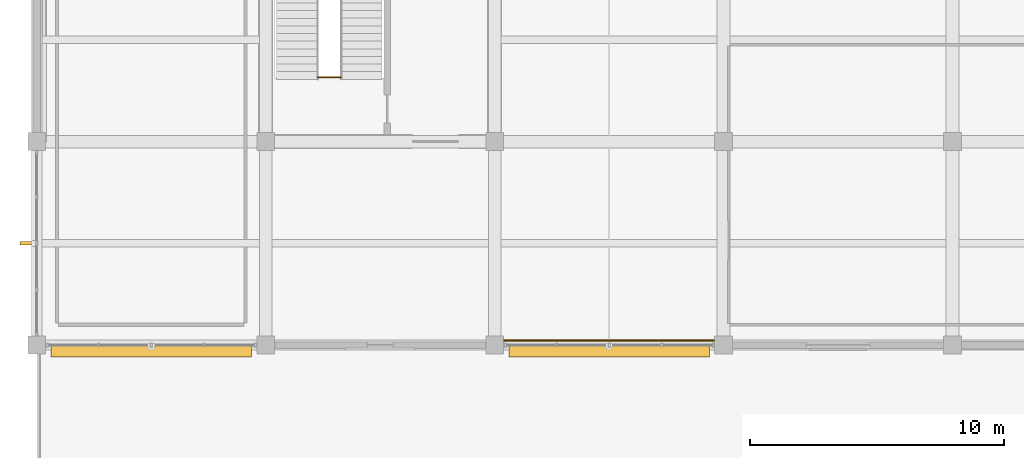
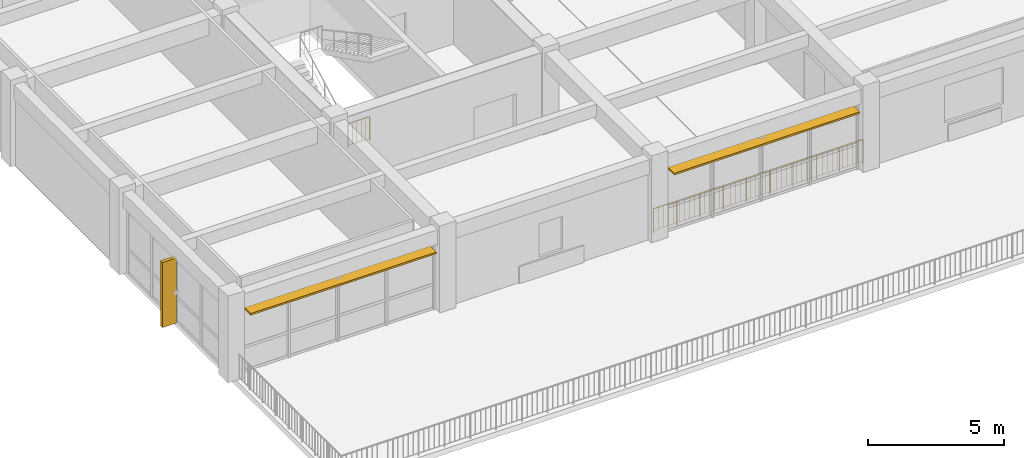
# One storey, part 13 of 14: 3 shading devices, 2 railings.
"""IFC4 building model written with IfcOpenShell, lengths in metres."""

from ifc_helpers import new_model, si_unit, direction, frame, frame_2d, origin, origin_2d, place, context, subcontext, project, spatial, rectangle, circle, extrude, material, layer, layer_set, type_object, element, save


model = new_model("IFC4")

# Units and contexts
model_context = context("Model", 3, precision=1e-05, world=origin(), true_north=direction((0.0, 1.0)))
body_context = subcontext(model_context, "Body", "Model", "MODEL_VIEW")
ifc_project = project(units=[si_unit("LENGTHUNIT", "METRE"), si_unit("AREAUNIT", "SQUARE_METRE"), si_unit("VOLUMEUNIT", "CUBIC_METRE"), si_unit("PLANEANGLEUNIT", "RADIAN"), si_unit("MASSUNIT", "GRAM", prefix="KILO")], contexts=[model_context])

# Site, building, storey
site_placement = place(None, origin())
site = spatial("IfcSite", under=ifc_project, at=site_placement, CompositionType="ELEMENT")
building_placement = place(site_placement, origin())
building = spatial("IfcBuilding", under=site, at=building_placement, Name="Zaverband Oceanarium and Marine Research Institute", CompositionType="ELEMENT")
storey_placement = place(building_placement, frame((0.0, 0.0, 57.0)))
storey = spatial("IfcBuildingStorey", under=building, at=storey_placement, Name="L14", CompositionType="ELEMENT", Elevation=57.0)

# Railings
ifc_material_1 = material(Name="Steel S355", Category="steel")
ifc_layer_1 = layer(ifc_material_1, 0.06005859375, Name="Steel S355")
ifc_layer_set_1 = layer_set([ifc_layer_1], Name="Steel S355")
railing_type = type_object("IfcRailingType", Name="GRD-1100", PredefinedType="BALUSTRADE", material=ifc_layer_set_1)
railing_1_placement = place(storey_placement, frame((20.0400390625, 82.530029296875, 0.0)))
element("IfcRailing", 1, at=railing_1_placement, inside=storey, type_object=railing_type, Name="1100 mm steel post-and-baluster safety guard GRD-1100", PredefinedType="BALUSTRADE", context=body_context, shape_type="SweptSolid", body=[
    extrude(circle(Radius=0.02392578125, at=origin_2d()), frame((0.0, 0.0, 1.076171875), z_axis=(1.0, 0.0, 0.0), x_axis=(0.0, 1.0, 0.0)), (0.0, 0.0, 1.0), 0.919921875),
    extrude(circle(Radius=0.009033203125, at=origin_2d()), frame((0.0, 0.0, 0.10009765625), z_axis=(1.0, 0.0, 0.0), x_axis=(0.0, 1.0, 0.0)), (0.0, 0.0, 1.0), 0.919921875),
    extrude(circle(Radius=0.009033203125, at=origin_2d()), frame((0.18408203125, 0.0, 0.10009765625)), (0.0, 0.0, 1.0), 0.951904296875),
    extrude(circle(Radius=0.009033203125, at=origin_2d()), frame((0.367919921875, 0.0, 0.10009765625)), (0.0, 0.0, 1.0), 0.951904296875),
    extrude(circle(Radius=0.009033203125, at=origin_2d()), frame((0.552001953125, 0.0, 0.10009765625)), (0.0, 0.0, 1.0), 0.951904296875),
    extrude(circle(Radius=0.009033203125, at=origin_2d()), frame((0.73583984375, 0.0, 0.10009765625)), (0.0, 0.0, 1.0), 0.951904296875),
    extrude(circle(Radius=0.02099609375, at=origin_2d()), origin(), (0.0, 0.0, 1.0), 1.052001953125),
    extrude(circle(Radius=0.02099609375, at=origin_2d()), frame((0.919921875, 0.0, 0.0)), (0.0, 0.0, 1.0), 1.052001953125),
])
railing_2_placement = place(storey_placement, frame((27.050048828125, 72.179931640625, 0.0)))
element("IfcRailing", 2, at=railing_2_placement, inside=storey, type_object=railing_type, Name="1100 mm steel post-and-baluster safety guard GRD-1100", PredefinedType="BALUSTRADE", context=body_context, shape_type="SweptSolid", body=[
    extrude(circle(Radius=0.02392578125, at=origin_2d()), frame((0.0, 0.0, 1.076171875), z_axis=(1.0, 0.0, 0.0), x_axis=(0.0, 1.0, 0.0)), (0.0, 0.0, 1.0), 8.89990234375),
    extrude(circle(Radius=0.009033203125, at=origin_2d()), frame((0.0, 0.0, 0.10009765625), z_axis=(1.0, 0.0, 0.0), x_axis=(0.0, 1.0, 0.0)), (0.0, 0.0, 1.0), 8.89990234375),
    extrude(circle(Radius=0.009033203125, at=origin_2d()), frame((0.217041015625, 0.0, 0.10009765625)), (0.0, 0.0, 1.0), 0.951904296875),
    extrude(circle(Radius=0.009033203125, at=origin_2d()), frame((0.43408203125, 0.0, 0.10009765625)), (0.0, 0.0, 1.0), 0.951904296875),
    extrude(circle(Radius=0.009033203125, at=origin_2d()), frame((0.651123046875, 0.0, 0.10009765625)), (0.0, 0.0, 1.0), 0.951904296875),
    extrude(circle(Radius=0.009033203125, at=origin_2d()), frame((0.8681640625, 0.0, 0.10009765625)), (0.0, 0.0, 1.0), 0.951904296875),
    extrude(circle(Radius=0.009033203125, at=origin_2d()), frame((1.08544921875, 0.0, 0.10009765625)), (0.0, 0.0, 1.0), 0.951904296875),
    extrude(circle(Radius=0.009033203125, at=origin_2d()), frame((1.302490234375, 0.0, 0.10009765625)), (0.0, 0.0, 1.0), 0.951904296875),
    extrude(circle(Radius=0.009033203125, at=origin_2d()), frame((1.51953125, 0.0, 0.10009765625)), (0.0, 0.0, 1.0), 0.951904296875),
    extrude(circle(Radius=0.009033203125, at=origin_2d()), frame((1.736572265625, 0.0, 0.10009765625)), (0.0, 0.0, 1.0), 0.951904296875),
    extrude(circle(Radius=0.009033203125, at=origin_2d()), frame((1.95361328125, 0.0, 0.10009765625)), (0.0, 0.0, 1.0), 0.951904296875),
    extrude(circle(Radius=0.009033203125, at=origin_2d()), frame((2.170654296875, 0.0, 0.10009765625)), (0.0, 0.0, 1.0), 0.951904296875),
    extrude(circle(Radius=0.009033203125, at=origin_2d()), frame((2.3876953125, 0.0, 0.10009765625)), (0.0, 0.0, 1.0), 0.951904296875),
    extrude(circle(Radius=0.009033203125, at=origin_2d()), frame((2.604736328125, 0.0, 0.10009765625)), (0.0, 0.0, 1.0), 0.951904296875),
    extrude(circle(Radius=0.009033203125, at=origin_2d()), frame((2.822021484375, 0.0, 0.10009765625)), (0.0, 0.0, 1.0), 0.951904296875),
    extrude(circle(Radius=0.009033203125, at=origin_2d()), frame((3.0390625, 0.0, 0.10009765625)), (0.0, 0.0, 1.0), 0.951904296875),
    extrude(circle(Radius=0.009033203125, at=origin_2d()), frame((3.256103515625, 0.0, 0.10009765625)), (0.0, 0.0, 1.0), 0.951904296875),
    extrude(circle(Radius=0.009033203125, at=origin_2d()), frame((3.47314453125, 0.0, 0.10009765625)), (0.0, 0.0, 1.0), 0.951904296875),
    extrude(circle(Radius=0.009033203125, at=origin_2d()), frame((3.690185546875, 0.0, 0.10009765625)), (0.0, 0.0, 1.0), 0.951904296875),
    extrude(circle(Radius=0.009033203125, at=origin_2d()), frame((3.9072265625, 0.0, 0.10009765625)), (0.0, 0.0, 1.0), 0.951904296875),
    extrude(circle(Radius=0.009033203125, at=origin_2d()), frame((4.124267578125, 0.0, 0.10009765625)), (0.0, 0.0, 1.0), 0.951904296875),
    extrude(circle(Radius=0.009033203125, at=origin_2d()), frame((4.34130859375, 0.0, 0.10009765625)), (0.0, 0.0, 1.0), 0.951904296875),
    extrude(circle(Radius=0.009033203125, at=origin_2d()), frame((4.55859375, 0.0, 0.10009765625)), (0.0, 0.0, 1.0), 0.951904296875),
    extrude(circle(Radius=0.009033203125, at=origin_2d()), frame((4.775634765625, 0.0, 0.10009765625)), (0.0, 0.0, 1.0), 0.951904296875),
    extrude(circle(Radius=0.009033203125, at=origin_2d()), frame((4.99267578125, 0.0, 0.10009765625)), (0.0, 0.0, 1.0), 0.951904296875),
    extrude(circle(Radius=0.009033203125, at=origin_2d()), frame((5.209716796875, 0.0, 0.10009765625)), (0.0, 0.0, 1.0), 0.951904296875),
    extrude(circle(Radius=0.009033203125, at=origin_2d()), frame((5.4267578125, 0.0, 0.10009765625)), (0.0, 0.0, 1.0), 0.951904296875),
    extrude(circle(Radius=0.009033203125, at=origin_2d()), frame((5.643798828125, 0.0, 0.10009765625)), (0.0, 0.0, 1.0), 0.951904296875),
    extrude(circle(Radius=0.009033203125, at=origin_2d()), frame((5.86083984375, 0.0, 0.10009765625)), (0.0, 0.0, 1.0), 0.951904296875),
    extrude(circle(Radius=0.009033203125, at=origin_2d()), frame((6.077880859375, 0.0, 0.10009765625)), (0.0, 0.0, 1.0), 0.951904296875),
    extrude(circle(Radius=0.009033203125, at=origin_2d()), frame((6.295166015625, 0.0, 0.10009765625)), (0.0, 0.0, 1.0), 0.951904296875),
    extrude(circle(Radius=0.009033203125, at=origin_2d()), frame((6.51220703125, 0.0, 0.10009765625)), (0.0, 0.0, 1.0), 0.951904296875),
    extrude(circle(Radius=0.009033203125, at=origin_2d()), frame((6.729248046875, 0.0, 0.10009765625)), (0.0, 0.0, 1.0), 0.951904296875),
    extrude(circle(Radius=0.009033203125, at=origin_2d()), frame((6.9462890625, 0.0, 0.10009765625)), (0.0, 0.0, 1.0), 0.951904296875),
    extrude(circle(Radius=0.009033203125, at=origin_2d()), frame((7.163330078125, 0.0, 0.10009765625)), (0.0, 0.0, 1.0), 0.951904296875),
    extrude(circle(Radius=0.009033203125, at=origin_2d()), frame((7.38037109375, 0.0, 0.10009765625)), (0.0, 0.0, 1.0), 0.951904296875),
    extrude(circle(Radius=0.009033203125, at=origin_2d()), frame((7.597412109375, 0.0, 0.10009765625)), (0.0, 0.0, 1.0), 0.951904296875),
    extrude(circle(Radius=0.009033203125, at=origin_2d()), frame((7.814453125, 0.0, 0.10009765625)), (0.0, 0.0, 1.0), 0.951904296875),
    extrude(circle(Radius=0.009033203125, at=origin_2d()), frame((8.03173828125, 0.0, 0.10009765625)), (0.0, 0.0, 1.0), 0.951904296875),
    extrude(circle(Radius=0.009033203125, at=origin_2d()), frame((8.248779296875, 0.0, 0.10009765625)), (0.0, 0.0, 1.0), 0.951904296875),
    extrude(circle(Radius=0.009033203125, at=origin_2d()), frame((8.4658203125, 0.0, 0.10009765625)), (0.0, 0.0, 1.0), 0.951904296875),
    extrude(circle(Radius=0.009033203125, at=origin_2d()), frame((8.682861328125, 0.0, 0.10009765625)), (0.0, 0.0, 1.0), 0.951904296875),
    extrude(circle(Radius=0.02099609375, at=origin_2d()), origin(), (0.0, 0.0, 1.0), 1.052001953125),
    extrude(circle(Radius=0.02099609375, at=origin_2d()), frame((0.98876953125, 0.0, 0.0)), (0.0, 0.0, 1.0), 1.052001953125),
    extrude(circle(Radius=0.02099609375, at=origin_2d()), frame((1.977783203125, 0.0, 0.0)), (0.0, 0.0, 1.0), 1.052001953125),
    extrude(circle(Radius=0.02099609375, at=origin_2d()), frame((2.966552734375, 0.0, 0.0)), (0.0, 0.0, 1.0), 1.052001953125),
    extrude(circle(Radius=0.02099609375, at=origin_2d()), frame((3.95556640625, 0.0, 0.0)), (0.0, 0.0, 1.0), 1.052001953125),
    extrude(circle(Radius=0.02099609375, at=origin_2d()), frame((4.9443359375, 0.0, 0.0)), (0.0, 0.0, 1.0), 1.052001953125),
    extrude(circle(Radius=0.02099609375, at=origin_2d()), frame((5.933349609375, 0.0, 0.0)), (0.0, 0.0, 1.0), 1.052001953125),
    extrude(circle(Radius=0.02099609375, at=origin_2d()), frame((6.922119140625, 0.0, 0.0)), (0.0, 0.0, 1.0), 1.052001953125),
    extrude(circle(Radius=0.02099609375, at=origin_2d()), frame((7.9111328125, 0.0, 0.0)), (0.0, 0.0, 1.0), 1.052001953125),
    extrude(circle(Radius=0.02099609375, at=origin_2d()), frame((8.89990234375, 0.0, 0.0)), (0.0, 0.0, 1.0), 1.052001953125),
])

# Shading devices
ifc_material_2 = material(Name="Concrete C40/50 precast brise-soleil", Category="concrete")
ifc_layer_2 = layer(ifc_material_2, 0.139892578125, Name="Concrete C40/50 precast brise-soleil")
ifc_layer_set_2 = layer_set([ifc_layer_2], Name="Concrete C40/50 precast brise-soleil")
shading_device_type_1 = type_object("IfcShadingDeviceType", Name="SHD-FIN-600", PredefinedType="JALOUSIE", material=ifc_layer_set_2)
shading_device_placement = place(storey_placement, frame((8.93994140625, 76.0, 0.0), z_axis=(0.0, 0.0, 1.0), x_axis=(-1.0, 0.0, 0.0)))
element("IfcShadingDevice", 3, at=shading_device_placement, inside=storey, type_object=shading_device_type_1, Name="600 mm vertical precast brise-soleil fin SHD-FIN-600", PredefinedType="JALOUSIE", context=body_context, shape_type="SweptSolid", body=[
    extrude(rectangle(XDim=0.599853515625, YDim=0.139892578125, at=frame_2d((0.2998046875, 0.0))), origin(), (0.0, 0.0, 1.0), 2.929931640625),
])
ifc_material_3 = material(Name="Anodized bronze marine-grade aluminium", Category="aluminium")
ifc_layer_3 = layer(ifc_material_3, 0.080078125, Name="Anodized bronze marine-grade aluminium")
ifc_layer_set_3 = layer_set([ifc_layer_3], Name="Anodized bronze marine-grade aluminium")
shading_device_type_2 = type_object("IfcShadingDeviceType", Name="SHD-LVR-450", PredefinedType="USERDEFINED", material=ifc_layer_set_3)
for number, where, z_axis, x_axis, name in (
    (4, (9.554931640625, 71.760009765625, 2.800048828125), (0.0, 0.0, 1.0), (1.0, 0.0, 0.0), "450 mm horizontal solar shading louvre SHD-LVR-450"),
    (5, (27.554931640625, 71.760009765625, 2.800048828125), (0.0, 0.0, 1.0), (1.0, 0.0, 0.0), "450 mm horizontal solar shading louvre SHD-LVR-450"),
):
    element("IfcShadingDevice", number, at=place(storey_placement, frame(where, z_axis=z_axis, x_axis=x_axis)), inside=storey, type_object=shading_device_type_2, Name=name, ObjectType="LOUVRE", PredefinedType="USERDEFINED", context=body_context, shape_type="SweptSolid", body=[
        extrude(rectangle(XDim=7.89013671875, YDim=0.449951171875, at=frame_2d((3.945068359375, 0.0))), origin(), (0.0, 0.0, 1.0), 0.079833984375),
    ])

save(model, "model.ifc")
